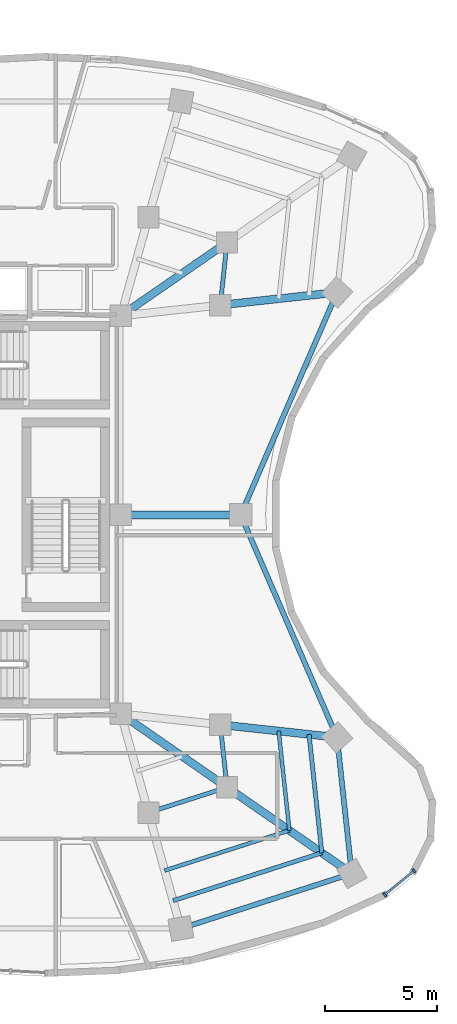
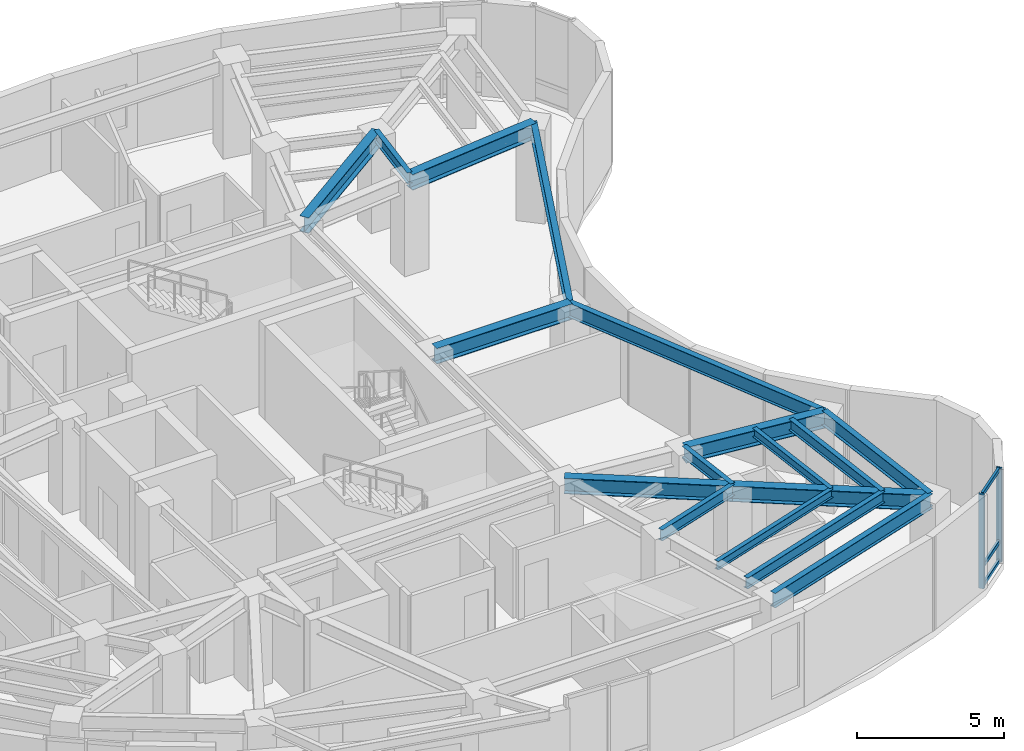
# One storey, part 4 of 13: 17 beams, 5 members, 1 element without a shape of its own.
"""IFC4 building model written with IfcOpenShell, lengths in metres."""

from ifc_helpers import new_model, si_unit, direction, frame, origin, origin_2d, place, context, subcontext, project, spatial, rectangle, i_section, extrude, material, layer, layer_set, material_profile, profile_set, type_object, element, aggregate, save


model = new_model("IFC4")

# Units and contexts
model_context = context("Model", 3, precision=1e-05, world=origin(), true_north=direction((0.0, 1.0)))
body_context = subcontext(model_context, "Body", "Model", "MODEL_VIEW")
ifc_project = project(units=[si_unit("LENGTHUNIT", "METRE"), si_unit("AREAUNIT", "SQUARE_METRE"), si_unit("VOLUMEUNIT", "CUBIC_METRE"), si_unit("PLANEANGLEUNIT", "RADIAN"), si_unit("MASSUNIT", "GRAM", prefix="KILO")], contexts=[model_context])

# Site, building, storey
site_placement = place(None, origin())
site = spatial("IfcSite", under=ifc_project, at=site_placement, CompositionType="ELEMENT")
building_placement = place(site_placement, origin())
building = spatial("IfcBuilding", under=site, at=building_placement, Name="Korentha Bioscience Tower", CompositionType="ELEMENT")
storey_placement = place(building_placement, frame((0.0, 0.0, 171.0)))
storey = spatial("IfcBuildingStorey", under=building, at=storey_placement, Name="L39", CompositionType="ELEMENT", Elevation=171.0)

# Beams
ifc_material_1 = material(Name="Steel S355", Category="steel")
ifc_material_profile_1 = material_profile(ifc_material_1, i_section(OverallWidth=0.18994140625, OverallDepth=0.45703125, WebThickness=0.009033203125, FlangeThickness=0.014404296875, at=origin_2d()), Name="Steel S355")
ifc_profile_set_1 = profile_set([ifc_material_profile_1], Name="Steel S355 (MB-460)")
beam_type_1 = type_object("IfcBeamType", Name="Mid-Ring Tie Girder W460x74", PredefinedType="BEAM", material=ifc_profile_set_1)
beam_1_placement = place(storey_placement, frame((38.77880859375, 13.7587890625, 3.67138671875), z_axis=(0.952000195343, 0.306097415976, 0.0), x_axis=(-0.306097415976, 0.952000195343, 0.0)))
element("IfcBeam", 1, at=beam_1_placement, inside=storey, type_object=beam_type_1, Name="L39 Mid-Ring Tie Girder 12", PredefinedType="BEAM", context=body_context, shape_type="SweptSolid", body=[
    extrude(i_section(OverallWidth=0.18994140625, OverallDepth=0.45703125, WebThickness=0.009033203125, FlangeThickness=0.014404296875, at=origin_2d()), origin(), (0.0, 0.0, 1.0), 3.672119140625),
])
for number, where, z_axis, x_axis, name in (
    (2, (42.274658203125, 14.8828125, 3.67138671875), (-0.107283940056, 0.99422842255, 0.0), (-0.99422842255, -0.107283940056, 0.0), "L39 Mid-Ring Tie Girder 13"),
    (3, (41.97412109375, 36.33203125, 3.67138671875), (0.107283940056, 0.99422842255, 0.0), (-0.99422842255, 0.107283940056, 0.0), "L39 Mid-Ring Tie Girder 16"),
):
    element("IfcBeam", number, at=place(storey_placement, frame(where, z_axis=z_axis, x_axis=x_axis)), inside=storey, type_object=beam_type_1, Name=name, PredefinedType="BEAM", context=body_context, shape_type="SweptSolid", body=[
        extrude(i_section(OverallWidth=0.18994140625, OverallDepth=0.45703125, WebThickness=0.009033203125, FlangeThickness=0.014404296875, at=origin_2d()), origin(), (0.0, 0.0, 1.0), 2.80126953125),
    ])

# Curtain wall, members
ifc_material_2 = material(Name="Thermally Broken Aluminium Frame", Category="aluminium")
ifc_layer = layer(ifc_material_2, 0.219970703125, Name="Thermally Broken Aluminium Frame")
ifc_layer_set = layer_set([ifc_layer], Name="Thermally Broken Aluminium Frame (CW-T1)")
curtain_wall_type = type_object("IfcCurtainWallType", Name="Standard Bioscience Lab Unitised Curtain Wall CW-T1", PredefinedType="USERDEFINED", material=ifc_layer_set)
curtain_wall_placement = place(storey_placement, origin())
curtain_wall = element("IfcCurtainWall", 4, at=curtain_wall_placement, inside=storey, type_object=curtain_wall_type, Name="L39 Curtain Wall 37", ObjectType="UNITISED", PredefinedType="USERDEFINED")
ifc_material_3 = material(Name="Anodised Aluminium 6063-T6", Category="aluminium")
ifc_material_profile_2 = material_profile(ifc_material_3, rectangle(XDim=0.090087890625, YDim=0.199951171875, at=origin_2d()), Name="Anodised Aluminium 6063-T6")
ifc_profile_set_2 = profile_set([ifc_material_profile_2], Name="Anodised Aluminium 6063-T6 (CW-MUL)")
member_type_1 = type_object("IfcMemberType", Name="Mullion RECT 90x200", PredefinedType="MULLION", material=ifc_profile_set_2)
member_1_placement = place(storey_placement, frame((49.28759765625, 10.105224609375, 0.0), z_axis=(0.0, 0.0, 1.0), x_axis=(0.77425646139, 0.632871971251, 0.0)))
member_1 = element("IfcMember", 5, at=member_1_placement, type_object=member_type_1, Name="CW-L39-37 Mullion 1", PredefinedType="MULLION", context=body_context, shape_type="SweptSolid", body=[
    extrude(rectangle(XDim=0.090087890625, YDim=0.199951171875, at=origin_2d()), origin(), (0.0, 0.0, 1.0), 3.89990234375),
])
member_2_placement = place(storey_placement, frame((50.58984375, 11.169677734375, 0.0), z_axis=(0.0, 0.0, 1.0), x_axis=(0.77425646139, 0.632871971251, 0.0)))
member_2 = element("IfcMember", 6, at=member_2_placement, type_object=member_type_1, Name="CW-L39-37 Mullion 2", PredefinedType="MULLION", context=body_context, shape_type="SweptSolid", body=[
    extrude(rectangle(XDim=0.090087890625, YDim=0.199951171875, at=origin_2d()), origin(), (0.0, 0.0, 1.0), 3.89990234375),
])

# Beams
ifc_material_profile_3 = material_profile(ifc_material_1, i_section(OverallWidth=0.22802734375, OverallDepth=0.60791015625, WebThickness=0.01123046875, FlangeThickness=0.017333984375, at=origin_2d()), Name="Steel S355")
ifc_profile_set_3 = profile_set([ifc_material_profile_3], Name="Steel S355 (SB-610)")
beam_type_2 = type_object("IfcBeamType", Name="Perimeter Ring Spandrel Girder W610x113", PredefinedType="SPANDREL", material=ifc_profile_set_3)
beam_2_placement = place(storey_placement, frame((40.22119140625, 8.60400390625, 3.595947265625), z_axis=(0.952008512555, 0.306071547228, 0.0), x_axis=(-0.306071547228, 0.952008512555, 0.0)))
element("IfcBeam", 7, at=beam_2_placement, inside=storey, type_object=beam_type_2, Name="L39 Perimeter Spandrel Girder 12", PredefinedType="SPANDREL", context=body_context, shape_type="SweptSolid", body=[
    extrude(i_section(OverallWidth=0.22802734375, OverallDepth=0.60791015625, WebThickness=0.01123046875, FlangeThickness=0.017333984375, at=origin_2d()), origin(), (0.0, 0.0, 1.0), 7.98291015625),
])
beam_3_placement = place(storey_placement, frame((47.821044921875, 11.04736328125, 3.595947265625), z_axis=(-0.10732012232, 0.994224517574, 0.0), x_axis=(-0.994224517574, -0.10732012232, 0.0)))
element("IfcBeam", 8, at=beam_3_placement, inside=storey, type_object=beam_type_2, Name="L39 Perimeter Spandrel Girder 13", PredefinedType="SPANDREL", context=body_context, shape_type="SweptSolid", body=[
    extrude(i_section(OverallWidth=0.22802734375, OverallDepth=0.60791015625, WebThickness=0.01123046875, FlangeThickness=0.017333984375, at=origin_2d()), origin(), (0.0, 0.0, 1.0), 6.08984375),
])
for number, where, z_axis, x_axis, name in (
    (9, (47.16748046875, 17.10205078125, 3.595947265625), (-0.397336815315, 0.917672847585, 0.0), (-0.917672847585, -0.397336815315, 0.0), "L39 Perimeter Spandrel Girder 14"),
    (10, (42.8818359375, 27.0, 3.595947265625), (0.397336815315, 0.917672847585, 0.0), (-0.917672847585, 0.397336815315, 0.0), "L39 Perimeter Spandrel Girder 15"),
):
    element("IfcBeam", number, at=place(storey_placement, frame(where, z_axis=z_axis, x_axis=x_axis)), inside=storey, type_object=beam_type_2, Name=name, PredefinedType="SPANDREL", context=body_context, shape_type="SweptSolid", body=[
        extrude(i_section(OverallWidth=0.22802734375, OverallDepth=0.60791015625, WebThickness=0.01123046875, FlangeThickness=0.017333984375, at=origin_2d()), origin(), (0.0, 0.0, 1.0), 10.785888671875),
    ])
ifc_material_profile_4 = material_profile(ifc_material_1, i_section(OverallWidth=0.18994140625, OverallDepth=0.45703125, WebThickness=0.009033203125, FlangeThickness=0.014404296875, at=origin_2d()), Name="Steel S355")
ifc_profile_set_4 = profile_set([ifc_material_profile_4], Name="Steel S355 (RB-460)")
beam_type_3 = type_object("IfcBeamType", Name="Radial Laboratory Beam W460x74", PredefinedType="BEAM", material=ifc_profile_set_4)
beam_4_placement = place(storey_placement, frame((39.875, 9.84130859375, 3.67138671875), z_axis=(0.952009183817, 0.306069459318, 0.0), x_axis=(-0.306069459318, 0.952009183817, 0.0)))
element("IfcBeam", 11, at=beam_4_placement, inside=storey, type_object=beam_type_3, Name="L39 Secondary Floor Beam JSTO-12", PredefinedType="BEAM", context=body_context, shape_type="SweptSolid", body=[
    extrude(i_section(OverallWidth=0.18994140625, OverallDepth=0.45703125, WebThickness=0.009033203125, FlangeThickness=0.014404296875, at=origin_2d()), origin(), (0.0, 0.0, 1.0), 6.948486328125),
])
beam_5_placement = place(storey_placement, frame((46.489990234375, 11.968017578125, 3.67138671875), z_axis=(-0.107321875607, 0.994224328316, 0.0), x_axis=(-0.994224328316, -0.107321875607, 0.0)))
element("IfcBeam", 12, at=beam_5_placement, inside=storey, type_object=beam_type_3, Name="L39 Secondary Floor Beam JSTO-13", PredefinedType="BEAM", context=body_context, shape_type="SweptSolid", body=[
    extrude(i_section(OverallWidth=0.18994140625, OverallDepth=0.45703125, WebThickness=0.009033203125, FlangeThickness=0.014404296875, at=origin_2d()), origin(), (0.0, 0.0, 1.0), 5.30029296875),
])
ifc_material_profile_5 = material_profile(ifc_material_1, i_section(OverallWidth=0.35009765625, OverallDepth=0.64990234375, WebThickness=0.01611328125, FlangeThickness=0.02490234375, at=origin_2d()), Name="Steel S355")
ifc_profile_set_5 = profile_set([ifc_material_profile_5], Name="Steel S355 (RB-650)")
beam_type_4 = type_object("IfcBeamType", Name="Radial Laboratory Girder CVS 650x208", PredefinedType="BEAM", material=ifc_profile_set_5)
for number, where, z_axis, x_axis, name in (
    (13, (37.550048828125, 35.85009765625, 3.574951171875), (0.822501145898, 0.568763452584, 0.0), (-0.568763452584, 0.822501145898, 0.0), "L39 Inner Radial Girder 01"),
    (14, (37.550048828125, 18.14990234375, 3.574951171875), (0.822501145898, -0.568763452584, 0.0), (0.568763452584, 0.822501145898, 0.0), "L39 Inner Radial Girder 13"),
):
    element("IfcBeam", number, at=place(storey_placement, frame(where, z_axis=z_axis, x_axis=x_axis)), inside=storey, type_object=beam_type_4, Name=name, PredefinedType="BEAM", context=body_context, shape_type="SweptSolid", body=[
        extrude(i_section(OverallWidth=0.35009765625, OverallDepth=0.64990234375, WebThickness=0.01611328125, FlangeThickness=0.02490234375, at=origin_2d()), origin(), (0.0, 0.0, 1.0), 5.744140625),
    ])
beam_6_placement = place(storey_placement, frame((42.274658203125, 14.8828125, 3.574951171875), z_axis=(0.822494455845, -0.568773127094, 0.0), x_axis=(0.568773127094, 0.822494455845, 0.0)))
element("IfcBeam", 15, at=beam_6_placement, inside=storey, type_object=beam_type_4, Name="L39 Outer Radial Girder 13", PredefinedType="BEAM", context=body_context, shape_type="SweptSolid", body=[
    extrude(i_section(OverallWidth=0.35009765625, OverallDepth=0.64990234375, WebThickness=0.01611328125, FlangeThickness=0.02490234375, at=origin_2d()), origin(), (0.0, 0.0, 1.0), 6.743408203125),
])
beam_7_placement = place(storey_placement, frame((41.97412109375, 17.66796875, 3.574951171875), z_axis=(0.994115177281, -0.108328271011, 0.0), x_axis=(0.108328271011, 0.994115177281, 0.0)))
element("IfcBeam", 16, at=beam_7_placement, inside=storey, type_object=beam_type_4, Name="L39 Outer Radial Girder 14", PredefinedType="BEAM", context=body_context, shape_type="SweptSolid", body=[
    extrude(i_section(OverallWidth=0.35009765625, OverallDepth=0.64990234375, WebThickness=0.01611328125, FlangeThickness=0.02490234375, at=origin_2d()), origin(), (0.0, 0.0, 1.0), 5.22412109375),
])
beam_8_placement = place(storey_placement, frame((37.550048828125, 27.0, 3.574951171875), z_axis=(1.0, 0.0, 0.0), x_axis=(0.0, 1.0, 0.0)))
element("IfcBeam", 17, at=beam_8_placement, inside=storey, type_object=beam_type_4, Name="L39 Radial Girder 15", PredefinedType="BEAM", context=body_context, shape_type="SweptSolid", body=[
    extrude(i_section(OverallWidth=0.35009765625, OverallDepth=0.64990234375, WebThickness=0.01611328125, FlangeThickness=0.02490234375, at=origin_2d()), origin(), (0.0, 0.0, 1.0), 5.331787109375),
])
beam_9_placement = place(storey_placement, frame((41.97412109375, 36.33203125, 3.574951171875), z_axis=(0.994115177281, 0.108328271011, 0.0), x_axis=(-0.108328271011, 0.994115177281, 0.0)))
element("IfcBeam", 18, at=beam_9_placement, inside=storey, type_object=beam_type_4, Name="L39 Outer Radial Girder 16", PredefinedType="BEAM", context=body_context, shape_type="SweptSolid", body=[
    extrude(i_section(OverallWidth=0.35009765625, OverallDepth=0.64990234375, WebThickness=0.01611328125, FlangeThickness=0.02490234375, at=origin_2d()), origin(), (0.0, 0.0, 1.0), 5.22412109375),
])
ifc_material_profile_6 = material_profile(ifc_material_1, i_section(OverallWidth=0.1708984375, OverallDepth=0.35498046875, WebThickness=0.007080078125, FlangeThickness=0.01171875, at=origin_2d()), Name="Steel S355")
ifc_profile_set_6 = profile_set([ifc_material_profile_6], Name="Steel S355 (JB-360)")
beam_type_5 = type_object("IfcBeamType", Name="Secondary Laboratory Joist W360x51", PredefinedType="JOIST", material=ifc_profile_set_6)
beam_10_placement = place(storey_placement, frame((39.5, 11.181396484375, 3.722412109375), z_axis=(0.952005892166, 0.306079697596, 0.0), x_axis=(-0.306079697596, 0.952005892166, 0.0)))
element("IfcBeam", 19, at=beam_10_placement, inside=storey, type_object=beam_type_5, Name="L39 Secondary Floor Beam JST-12", PredefinedType="JOIST", context=body_context, shape_type="SweptSolid", body=[
    extrude(i_section(OverallWidth=0.1708984375, OverallDepth=0.35498046875, WebThickness=0.007080078125, FlangeThickness=0.01171875, at=origin_2d()), origin(), (0.0, 0.0, 1.0), 5.82763671875),
])
beam_11_placement = place(storey_placement, frame((45.0478515625, 12.965087890625, 3.722412109375), z_axis=(-0.107308722475, 0.994225748048, 0.0), x_axis=(-0.994225748048, -0.107308722475, 0.0)))
element("IfcBeam", 20, at=beam_11_placement, inside=storey, type_object=beam_type_5, Name="L39 Secondary Floor Beam JST-13", PredefinedType="JOIST", context=body_context, shape_type="SweptSolid", body=[
    extrude(i_section(OverallWidth=0.1708984375, OverallDepth=0.35498046875, WebThickness=0.007080078125, FlangeThickness=0.01171875, at=origin_2d()), origin(), (0.0, 0.0, 1.0), 4.445556640625),
])

# Member
ifc_material_profile_7 = material_profile(ifc_material_3, rectangle(XDim=0.090087890625, YDim=0.159912109375, at=origin_2d()), Name="Anodised Aluminium 6063-T6")
ifc_profile_set_7 = profile_set([ifc_material_profile_7], Name="Anodised Aluminium 6063-T6 (CW-TRN)")
member_type_2 = type_object("IfcMemberType", Name="Transom RECT 90x160", PredefinedType="USERDEFINED", material=ifc_profile_set_7)
member_3_placement = place(storey_placement, frame((49.322509765625, 10.1337890625, 0.044921875), z_axis=(0.77427156069, 0.632853498297, 0.0), x_axis=(-0.632853498297, 0.77427156069, 0.0)))
member_3 = element("IfcMember", 21, at=member_3_placement, type_object=member_type_2, Name="CW-L39-37 Bay 1 Transom 1", ObjectType="TRANSOM", PredefinedType="USERDEFINED", context=body_context, shape_type="SweptSolid", body=[
    extrude(rectangle(XDim=0.090087890625, YDim=0.159912109375, at=origin_2d()), origin(), (0.0, 0.0, 1.0), 1.591796875),
])

member_4_placement = place(storey_placement, frame((49.322509765625, 10.1337890625, 0.85009765625), z_axis=(0.77427156069, 0.632853498297, 0.0), x_axis=(-0.632853498297, 0.77427156069, 0.0)))
member_4 = element("IfcMember", 22, at=member_4_placement, type_object=member_type_2, Name="CW-L39-37 Bay 1 Transom 2", ObjectType="TRANSOM", PredefinedType="USERDEFINED", context=body_context, shape_type="SweptSolid", body=[
    extrude(rectangle(XDim=0.090087890625, YDim=0.159912109375, at=origin_2d()), origin(), (0.0, 0.0, 1.0), 1.591796875),
])

member_5_placement = place(storey_placement, frame((49.322509765625, 10.1337890625, 3.85498046875), z_axis=(0.77427156069, 0.632853498297, 0.0), x_axis=(-0.632853498297, 0.77427156069, 0.0)))
member_5 = element("IfcMember", 23, at=member_5_placement, type_object=member_type_2, Name="CW-L39-37 Bay 1 Transom 3", ObjectType="TRANSOM", PredefinedType="USERDEFINED", context=body_context, shape_type="SweptSolid", body=[
    extrude(rectangle(XDim=0.090087890625, YDim=0.159912109375, at=origin_2d()), origin(), (0.0, 0.0, 1.0), 1.591796875),
])

aggregate(curtain_wall, [member_1, member_2, member_3, member_4, member_5])

save(model, "model.ifc")
